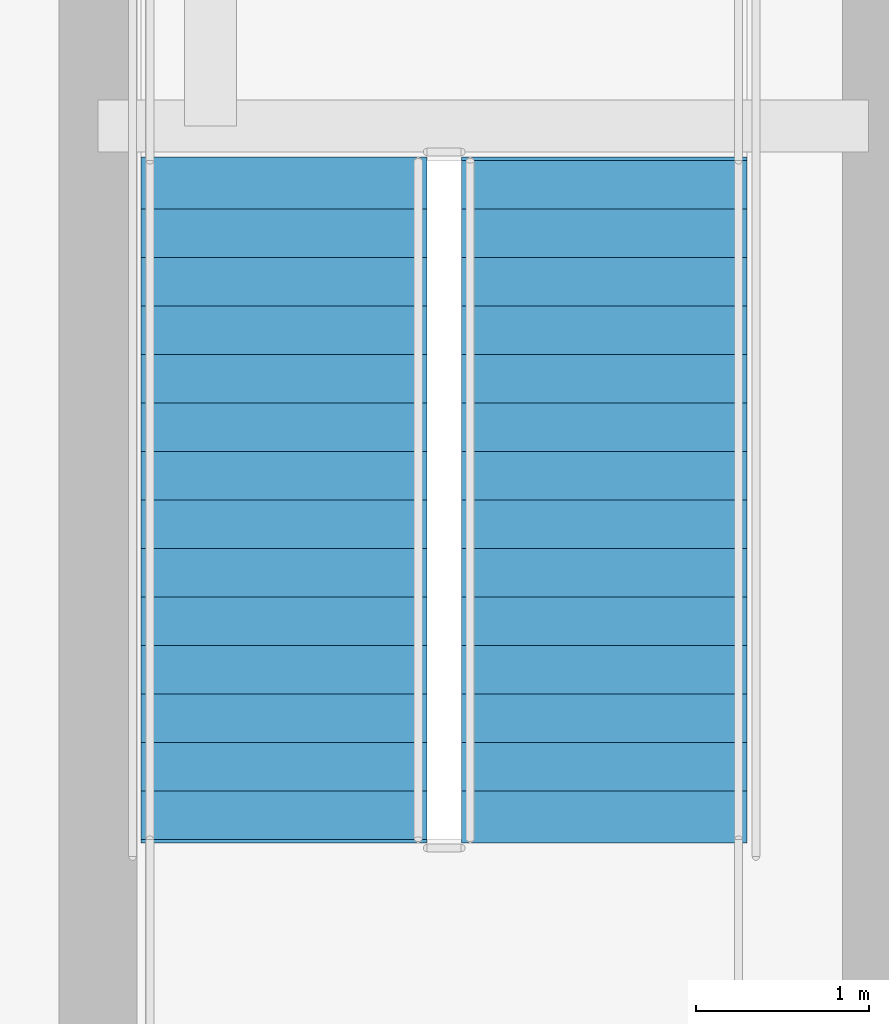
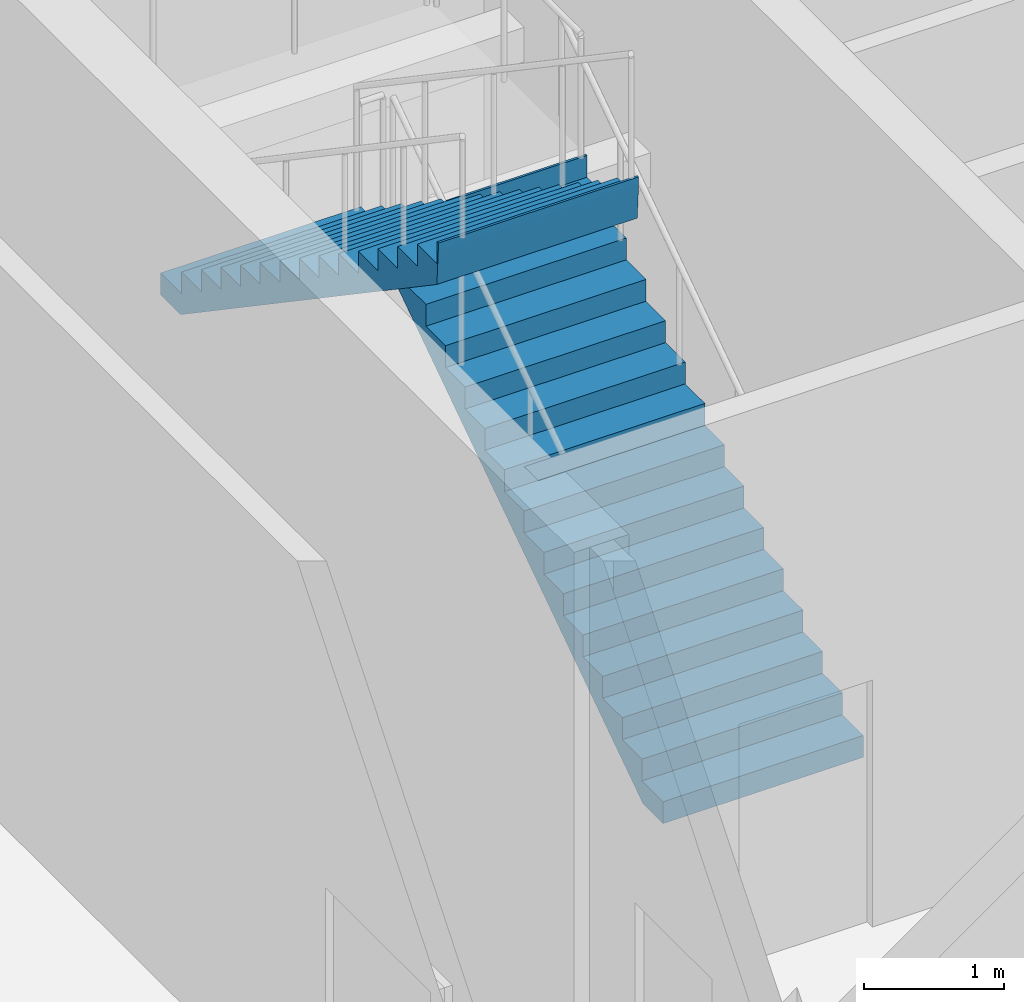
# One storey, part 5 of 12: 2 stair flights, 1 element without a shape of its own.
"""IFC4 building model written with IfcOpenShell, lengths in metres."""

from ifc_helpers import new_model, si_unit, direction, frame, origin, place, context, subcontext, project, spatial, polygons, material, type_object, element, aggregate, save


model = new_model("IFC4")

# Units and contexts
model_context = context("Model", 3, precision=1e-05, world=origin(), true_north=direction((0.0, 1.0)))
body_context = subcontext(model_context, "Body", "Model", "MODEL_VIEW")
ifc_project = project(units=[si_unit("LENGTHUNIT", "METRE"), si_unit("AREAUNIT", "SQUARE_METRE"), si_unit("VOLUMEUNIT", "CUBIC_METRE"), si_unit("PLANEANGLEUNIT", "RADIAN"), si_unit("MASSUNIT", "GRAM", prefix="KILO")], contexts=[model_context])

# Site, building, storey
site_placement = place(None, origin())
site = spatial("IfcSite", under=ifc_project, at=site_placement, CompositionType="ELEMENT")
building_placement = place(site_placement, origin())
building = spatial("IfcBuilding", under=site, at=building_placement, Name="Serunith Strait Residences", CompositionType="ELEMENT")
storey_placement = place(building_placement, frame((0.0, 0.0, 15.300048828125)))
storey = spatial("IfcBuildingStorey", under=building, at=storey_placement, Name="L03", CompositionType="ELEMENT", Elevation=15.300048828125)

# Stair, stair flights
ifc_material = material(Name="Concrete C50/60", Category="concrete")
stair_type = type_object("IfcStairType", Name="STR-CORE-1", PredefinedType="HALF_TURN_STAIR", material=ifc_material)
stair_placement = place(storey_placement, origin())
stair = element("IfcStair", 1, at=stair_placement, inside=storey, type_object=stair_type, Name="L03 Protected Escape Stair ST-1", PredefinedType="HALF_TURN_STAIR")
stair_flight_type = type_object("IfcStairFlightType", Name="FLT-CORE-1", PredefinedType="STRAIGHT", material=ifc_material)
stair_flight_1_placement = place(storey_placement, frame((26.324951171875, 27.030029296875, 0.0), z_axis=(0.0, 0.0, 1.0), x_axis=(0.0, 1.0, 0.0)))
stair_flight_1 = element("IfcStairFlight", 2, at=stair_flight_1_placement, type_object=stair_flight_type, Name="ST-1 flight 1", NumberOfRisers=15, NumberOfTreads=14, PredefinedType="STRAIGHT", RiserHeight=0.19, TreadLength=0.28, context=body_context, shape_type="Tessellation", body=[
    polygons([(-0.02001953125, -0.824951171875, 0.0), (-0.02001953125, -0.824951171875, 0.18994140625), (0.280029296875, -0.824951171875, 0.18994140625), (0.280029296875, -0.824951171875, 0.3798828125), (0.56005859375, -0.824951171875, 0.3798828125), (0.56005859375, -0.824951171875, 0.570068359375), (0.840087890625, -0.824951171875, 0.570068359375), (0.840087890625, -0.824951171875, 0.760009765625), (1.1201171875, -0.824951171875, 0.760009765625), (1.1201171875, -0.824951171875, 0.949951171875), (1.39990234375, -0.824951171875, 0.949951171875), (1.39990234375, -0.824951171875, 1.139892578125), (1.679931640625, -0.824951171875, 1.139892578125), (1.679931640625, -0.824951171875, 1.330078125), (1.9599609375, -0.824951171875, 1.330078125), (1.9599609375, -0.824951171875, 1.52001953125), (2.239990234375, -0.824951171875, 1.52001953125), (2.239990234375, -0.824951171875, 1.7099609375), (2.52001953125, -0.824951171875, 1.7099609375), (2.52001953125, -0.824951171875, 1.89990234375), (2.800048828125, -0.824951171875, 1.89990234375), (2.800048828125, -0.824951171875, 2.090087890625), (3.080078125, -0.824951171875, 2.090087890625), (3.080078125, -0.824951171875, 2.280029296875), (3.360107421875, -0.824951171875, 2.280029296875), (3.360107421875, -0.824951171875, 2.469970703125), (3.639892578125, -0.824951171875, 2.469970703125), (3.639892578125, -0.824951171875, 2.659912109375), (3.919921875, -0.824951171875, 2.659912109375), (3.919921875, -0.824951171875, 2.85009765625), (3.93994140625, -0.824951171875, 2.85009765625), (3.93994140625, -0.824951171875, 2.7900390625), (3.919921875, -0.824951171875, 2.478759765625), (0.266845703125, -0.824951171875, 0.0), (-0.02001953125, -0.41259765625, 0.0), (-0.02001953125, -0.41259765625, 0.18994140625), (0.280029296875, -0.41259765625, 0.18994140625), (0.280029296875, -0.41259765625, 0.3798828125), (0.56005859375, -0.41259765625, 0.3798828125), (0.56005859375, -0.41259765625, 0.570068359375), (0.840087890625, -0.41259765625, 0.570068359375), (0.840087890625, -0.41259765625, 0.760009765625), (1.1201171875, -0.41259765625, 0.760009765625), (1.1201171875, -0.41259765625, 0.949951171875), (1.39990234375, -0.41259765625, 0.949951171875), (1.39990234375, -0.41259765625, 1.139892578125), (1.679931640625, -0.41259765625, 1.139892578125), (1.679931640625, -0.41259765625, 1.330078125), (1.9599609375, -0.41259765625, 1.330078125), (1.9599609375, -0.41259765625, 1.52001953125), (2.239990234375, -0.41259765625, 1.52001953125), (2.239990234375, -0.41259765625, 1.7099609375), (2.52001953125, -0.41259765625, 1.7099609375), (2.52001953125, -0.41259765625, 1.89990234375), (2.800048828125, -0.41259765625, 1.89990234375), (2.800048828125, -0.41259765625, 2.090087890625), (3.080078125, -0.41259765625, 2.090087890625), (3.080078125, -0.41259765625, 2.280029296875), (3.360107421875, -0.41259765625, 2.280029296875), (3.360107421875, -0.41259765625, 2.469970703125), (3.639892578125, -0.41259765625, 2.469970703125), (3.639892578125, -0.41259765625, 2.659912109375), (3.919921875, -0.41259765625, 2.659912109375), (3.919921875, -0.41259765625, 2.85009765625), (3.93994140625, -0.41259765625, 2.85009765625), (3.93994140625, -0.41259765625, 2.7900390625), (3.919921875, -0.41259765625, 2.478759765625), (0.266845703125, -0.41259765625, 0.0), (-0.02001953125, 0.0, 0.0), (-0.02001953125, 0.0, 0.18994140625), (0.280029296875, 0.0, 0.18994140625), (0.280029296875, 0.0, 0.3798828125), (0.56005859375, 0.0, 0.3798828125), (0.56005859375, 0.0, 0.570068359375), (0.840087890625, 0.0, 0.570068359375), (0.840087890625, 0.0, 0.760009765625), (1.1201171875, 0.0, 0.760009765625), (1.1201171875, 0.0, 0.949951171875), (1.39990234375, 0.0, 0.949951171875), (1.39990234375, 0.0, 1.139892578125), (1.679931640625, 0.0, 1.139892578125), (1.679931640625, 0.0, 1.330078125), (1.9599609375, 0.0, 1.330078125), (1.9599609375, 0.0, 1.52001953125), (2.239990234375, 0.0, 1.52001953125), (2.239990234375, 0.0, 1.7099609375), (2.52001953125, 0.0, 1.7099609375), (2.52001953125, 0.0, 1.89990234375), (2.800048828125, 0.0, 1.89990234375), (2.800048828125, 0.0, 2.090087890625), (3.080078125, 0.0, 2.090087890625), (3.080078125, 0.0, 2.280029296875), (3.360107421875, 0.0, 2.280029296875), (3.360107421875, 0.0, 2.469970703125), (3.639892578125, 0.0, 2.469970703125), (3.639892578125, 0.0, 2.659912109375), (3.919921875, 0.0, 2.659912109375), (3.919921875, 0.0, 2.85009765625), (3.93994140625, 0.0, 2.85009765625), (3.93994140625, 0.0, 2.7900390625), (3.919921875, 0.0, 2.478759765625), (0.266845703125, 0.0, 0.0), (-0.02001953125, 0.41259765625, 0.0), (-0.02001953125, 0.41259765625, 0.18994140625), (0.280029296875, 0.41259765625, 0.18994140625), (0.280029296875, 0.41259765625, 0.3798828125), (0.56005859375, 0.41259765625, 0.3798828125), (0.56005859375, 0.41259765625, 0.570068359375), (0.840087890625, 0.41259765625, 0.570068359375), (0.840087890625, 0.41259765625, 0.760009765625), (1.1201171875, 0.41259765625, 0.760009765625), (1.1201171875, 0.41259765625, 0.949951171875), (1.39990234375, 0.41259765625, 0.949951171875), (1.39990234375, 0.41259765625, 1.139892578125), (1.679931640625, 0.41259765625, 1.139892578125), (1.679931640625, 0.41259765625, 1.330078125), (1.9599609375, 0.41259765625, 1.330078125), (1.9599609375, 0.41259765625, 1.52001953125), (2.239990234375, 0.41259765625, 1.52001953125), (2.239990234375, 0.41259765625, 1.7099609375), (2.52001953125, 0.41259765625, 1.7099609375), (2.52001953125, 0.41259765625, 1.89990234375), (2.800048828125, 0.41259765625, 1.89990234375), (2.800048828125, 0.41259765625, 2.090087890625), (3.080078125, 0.41259765625, 2.090087890625), (3.080078125, 0.41259765625, 2.280029296875), (3.360107421875, 0.41259765625, 2.280029296875), (3.360107421875, 0.41259765625, 2.469970703125), (3.639892578125, 0.41259765625, 2.469970703125), (3.639892578125, 0.41259765625, 2.659912109375), (3.919921875, 0.41259765625, 2.659912109375), (3.919921875, 0.41259765625, 2.85009765625), (3.93994140625, 0.41259765625, 2.85009765625), (3.93994140625, 0.41259765625, 2.7900390625), (3.919921875, 0.41259765625, 2.478759765625), (0.266845703125, 0.41259765625, 0.0), (-0.02001953125, 0.824951171875, 0.0), (-0.02001953125, 0.824951171875, 0.18994140625), (0.280029296875, 0.824951171875, 0.18994140625), (0.280029296875, 0.824951171875, 0.3798828125), (0.56005859375, 0.824951171875, 0.3798828125), (0.56005859375, 0.824951171875, 0.570068359375), (0.840087890625, 0.824951171875, 0.570068359375), (0.840087890625, 0.824951171875, 0.760009765625), (1.1201171875, 0.824951171875, 0.760009765625), (1.1201171875, 0.824951171875, 0.949951171875), (1.39990234375, 0.824951171875, 0.949951171875), (1.39990234375, 0.824951171875, 1.139892578125), (1.679931640625, 0.824951171875, 1.139892578125), (1.679931640625, 0.824951171875, 1.330078125), (1.9599609375, 0.824951171875, 1.330078125), (1.9599609375, 0.824951171875, 1.52001953125), (2.239990234375, 0.824951171875, 1.52001953125), (2.239990234375, 0.824951171875, 1.7099609375), (2.52001953125, 0.824951171875, 1.7099609375), (2.52001953125, 0.824951171875, 1.89990234375), (2.800048828125, 0.824951171875, 1.89990234375), (2.800048828125, 0.824951171875, 2.090087890625), (3.080078125, 0.824951171875, 2.090087890625), (3.080078125, 0.824951171875, 2.280029296875), (3.360107421875, 0.824951171875, 2.280029296875), (3.360107421875, 0.824951171875, 2.469970703125), (3.639892578125, 0.824951171875, 2.469970703125), (3.639892578125, 0.824951171875, 2.659912109375), (3.919921875, 0.824951171875, 2.659912109375), (3.919921875, 0.824951171875, 2.85009765625), (3.93994140625, 0.824951171875, 2.85009765625), (3.93994140625, 0.824951171875, 2.7900390625), (3.919921875, 0.824951171875, 2.478759765625), (0.266845703125, 0.824951171875, 0.0)], [[[1, 2, 36, 35]], [[2, 3, 37, 36]], [[3, 4, 38, 37]], [[4, 5, 39, 38]], [[5, 6, 40, 39]], [[6, 7, 41, 40]], [[7, 8, 42, 41]], [[8, 9, 43, 42]], [[9, 10, 44, 43]], [[10, 11, 45, 44]], [[11, 12, 46, 45]], [[12, 13, 47, 46]], [[13, 14, 48, 47]], [[14, 15, 49, 48]], [[15, 16, 50, 49]], [[16, 17, 51, 50]], [[17, 18, 52, 51]], [[18, 19, 53, 52]], [[19, 20, 54, 53]], [[20, 21, 55, 54]], [[21, 22, 56, 55]], [[22, 23, 57, 56]], [[23, 24, 58, 57]], [[24, 25, 59, 58]], [[25, 26, 60, 59]], [[26, 27, 61, 60]], [[27, 28, 62, 61]], [[28, 29, 63, 62]], [[29, 30, 64, 63]], [[30, 31, 65, 64]], [[31, 32, 66, 65]], [[32, 33, 67, 66]], [[33, 34, 68, 67]], [[34, 1, 35, 68]], [[35, 36, 70, 69]], [[36, 37, 71, 70]], [[37, 38, 72, 71]], [[38, 39, 73, 72]], [[39, 40, 74, 73]], [[40, 41, 75, 74]], [[41, 42, 76, 75]], [[42, 43, 77, 76]], [[43, 44, 78, 77]], [[44, 45, 79, 78]], [[45, 46, 80, 79]], [[46, 47, 81, 80]], [[47, 48, 82, 81]], [[48, 49, 83, 82]], [[49, 50, 84, 83]], [[50, 51, 85, 84]], [[51, 52, 86, 85]], [[52, 53, 87, 86]], [[53, 54, 88, 87]], [[54, 55, 89, 88]], [[55, 56, 90, 89]], [[56, 57, 91, 90]], [[57, 58, 92, 91]], [[58, 59, 93, 92]], [[59, 60, 94, 93]], [[60, 61, 95, 94]], [[61, 62, 96, 95]], [[62, 63, 97, 96]], [[63, 64, 98, 97]], [[64, 65, 99, 98]], [[65, 66, 100, 99]], [[66, 67, 101, 100]], [[67, 68, 102, 101]], [[68, 35, 69, 102]], [[69, 70, 104, 103]], [[70, 71, 105, 104]], [[71, 72, 106, 105]], [[72, 73, 107, 106]], [[73, 74, 108, 107]], [[74, 75, 109, 108]], [[75, 76, 110, 109]], [[76, 77, 111, 110]], [[77, 78, 112, 111]], [[78, 79, 113, 112]], [[79, 80, 114, 113]], [[80, 81, 115, 114]], [[81, 82, 116, 115]], [[82, 83, 117, 116]], [[83, 84, 118, 117]], [[84, 85, 119, 118]], [[85, 86, 120, 119]], [[86, 87, 121, 120]], [[87, 88, 122, 121]], [[88, 89, 123, 122]], [[89, 90, 124, 123]], [[90, 91, 125, 124]], [[91, 92, 126, 125]], [[92, 93, 127, 126]], [[93, 94, 128, 127]], [[94, 95, 129, 128]], [[95, 96, 130, 129]], [[96, 97, 131, 130]], [[97, 98, 132, 131]], [[98, 99, 133, 132]], [[99, 100, 134, 133]], [[100, 101, 135, 134]], [[101, 102, 136, 135]], [[102, 69, 103, 136]], [[103, 104, 138, 137]], [[104, 105, 139, 138]], [[105, 106, 140, 139]], [[106, 107, 141, 140]], [[107, 108, 142, 141]], [[108, 109, 143, 142]], [[109, 110, 144, 143]], [[110, 111, 145, 144]], [[111, 112, 146, 145]], [[112, 113, 147, 146]], [[113, 114, 148, 147]], [[114, 115, 149, 148]], [[115, 116, 150, 149]], [[116, 117, 151, 150]], [[117, 118, 152, 151]], [[118, 119, 153, 152]], [[119, 120, 154, 153]], [[120, 121, 155, 154]], [[121, 122, 156, 155]], [[122, 123, 157, 156]], [[123, 124, 158, 157]], [[124, 125, 159, 158]], [[125, 126, 160, 159]], [[126, 127, 161, 160]], [[127, 128, 162, 161]], [[128, 129, 163, 162]], [[129, 130, 164, 163]], [[130, 131, 165, 164]], [[131, 132, 166, 165]], [[132, 133, 167, 166]], [[133, 134, 168, 167]], [[134, 135, 169, 168]], [[135, 136, 170, 169]], [[136, 103, 137, 170]], [[34, 33, 32, 31, 30, 29, 28, 27, 26, 25, 24, 23, 22, 21, 20, 19, 18, 17, 16, 15, 14, 13, 12, 11, 10, 9, 8, 7, 6, 5, 4, 3, 2, 1]], [[137, 138, 139, 140, 141, 142, 143, 144, 145, 146, 147, 148, 149, 150, 151, 152, 153, 154, 155, 156, 157, 158, 159, 160, 161, 162, 163, 164, 165, 166, 167, 168, 169, 170]]], closed=True),
])
stair_flight_2_placement = place(storey_placement, frame((24.47509765625, 30.949951171875, 2.849853515625), z_axis=(0.0, 0.0, 1.0), x_axis=(0.0, -1.0, 0.0)))
stair_flight_2 = element("IfcStairFlight", 3, at=stair_flight_2_placement, type_object=stair_flight_type, Name="ST-1 flight 2", NumberOfRisers=15, NumberOfTreads=14, PredefinedType="STRAIGHT", RiserHeight=0.19, TreadLength=0.28, context=body_context, shape_type="Tessellation", body=[
    polygons([(-0.02001953125, -0.824951171875, 0.0), (-0.02001953125, -0.824951171875, 0.18994140625), (0.280029296875, -0.824951171875, 0.18994140625), (0.280029296875, -0.824951171875, 0.3798828125), (0.56005859375, -0.824951171875, 0.3798828125), (0.56005859375, -0.824951171875, 0.570068359375), (0.840087890625, -0.824951171875, 0.570068359375), (0.840087890625, -0.824951171875, 0.760009765625), (1.1201171875, -0.824951171875, 0.760009765625), (1.1201171875, -0.824951171875, 0.949951171875), (1.39990234375, -0.824951171875, 0.949951171875), (1.39990234375, -0.824951171875, 1.139892578125), (1.679931640625, -0.824951171875, 1.139892578125), (1.679931640625, -0.824951171875, 1.330078125), (1.9599609375, -0.824951171875, 1.330078125), (1.9599609375, -0.824951171875, 1.52001953125), (2.239990234375, -0.824951171875, 1.52001953125), (2.239990234375, -0.824951171875, 1.7099609375), (2.52001953125, -0.824951171875, 1.7099609375), (2.52001953125, -0.824951171875, 1.89990234375), (2.800048828125, -0.824951171875, 1.89990234375), (2.800048828125, -0.824951171875, 2.090087890625), (3.080078125, -0.824951171875, 2.090087890625), (3.080078125, -0.824951171875, 2.280029296875), (3.360107421875, -0.824951171875, 2.280029296875), (3.360107421875, -0.824951171875, 2.469970703125), (3.639892578125, -0.824951171875, 2.469970703125), (3.639892578125, -0.824951171875, 2.659912109375), (3.919921875, -0.824951171875, 2.659912109375), (3.919921875, -0.824951171875, 2.85009765625), (3.93994140625, -0.824951171875, 2.85009765625), (3.93994140625, -0.824951171875, 2.7900390625), (3.919921875, -0.824951171875, 2.478759765625), (0.266845703125, -0.824951171875, 0.0), (-0.02001953125, -0.41259765625, 0.0), (-0.02001953125, -0.41259765625, 0.18994140625), (0.280029296875, -0.41259765625, 0.18994140625), (0.280029296875, -0.41259765625, 0.3798828125), (0.56005859375, -0.41259765625, 0.3798828125), (0.56005859375, -0.41259765625, 0.570068359375), (0.840087890625, -0.41259765625, 0.570068359375), (0.840087890625, -0.41259765625, 0.760009765625), (1.1201171875, -0.41259765625, 0.760009765625), (1.1201171875, -0.41259765625, 0.949951171875), (1.39990234375, -0.41259765625, 0.949951171875), (1.39990234375, -0.41259765625, 1.139892578125), (1.679931640625, -0.41259765625, 1.139892578125), (1.679931640625, -0.41259765625, 1.330078125), (1.9599609375, -0.41259765625, 1.330078125), (1.9599609375, -0.41259765625, 1.52001953125), (2.239990234375, -0.41259765625, 1.52001953125), (2.239990234375, -0.41259765625, 1.7099609375), (2.52001953125, -0.41259765625, 1.7099609375), (2.52001953125, -0.41259765625, 1.89990234375), (2.800048828125, -0.41259765625, 1.89990234375), (2.800048828125, -0.41259765625, 2.090087890625), (3.080078125, -0.41259765625, 2.090087890625), (3.080078125, -0.41259765625, 2.280029296875), (3.360107421875, -0.41259765625, 2.280029296875), (3.360107421875, -0.41259765625, 2.469970703125), (3.639892578125, -0.41259765625, 2.469970703125), (3.639892578125, -0.41259765625, 2.659912109375), (3.919921875, -0.41259765625, 2.659912109375), (3.919921875, -0.41259765625, 2.85009765625), (3.93994140625, -0.41259765625, 2.85009765625), (3.93994140625, -0.41259765625, 2.7900390625), (3.919921875, -0.41259765625, 2.478759765625), (0.266845703125, -0.41259765625, 0.0), (-0.02001953125, 0.0, 0.0), (-0.02001953125, 0.0, 0.18994140625), (0.280029296875, 0.0, 0.18994140625), (0.280029296875, 0.0, 0.3798828125), (0.56005859375, 0.0, 0.3798828125), (0.56005859375, 0.0, 0.570068359375), (0.840087890625, 0.0, 0.570068359375), (0.840087890625, 0.0, 0.760009765625), (1.1201171875, 0.0, 0.760009765625), (1.1201171875, 0.0, 0.949951171875), (1.39990234375, 0.0, 0.949951171875), (1.39990234375, 0.0, 1.139892578125), (1.679931640625, 0.0, 1.139892578125), (1.679931640625, 0.0, 1.330078125), (1.9599609375, 0.0, 1.330078125), (1.9599609375, 0.0, 1.52001953125), (2.239990234375, 0.0, 1.52001953125), (2.239990234375, 0.0, 1.7099609375), (2.52001953125, 0.0, 1.7099609375), (2.52001953125, 0.0, 1.89990234375), (2.800048828125, 0.0, 1.89990234375), (2.800048828125, 0.0, 2.090087890625), (3.080078125, 0.0, 2.090087890625), (3.080078125, 0.0, 2.280029296875), (3.360107421875, 0.0, 2.280029296875), (3.360107421875, 0.0, 2.469970703125), (3.639892578125, 0.0, 2.469970703125), (3.639892578125, 0.0, 2.659912109375), (3.919921875, 0.0, 2.659912109375), (3.919921875, 0.0, 2.85009765625), (3.93994140625, 0.0, 2.85009765625), (3.93994140625, 0.0, 2.7900390625), (3.919921875, 0.0, 2.478759765625), (0.266845703125, 0.0, 0.0), (-0.02001953125, 0.41259765625, 0.0), (-0.02001953125, 0.41259765625, 0.18994140625), (0.280029296875, 0.41259765625, 0.18994140625), (0.280029296875, 0.41259765625, 0.3798828125), (0.56005859375, 0.41259765625, 0.3798828125), (0.56005859375, 0.41259765625, 0.570068359375), (0.840087890625, 0.41259765625, 0.570068359375), (0.840087890625, 0.41259765625, 0.760009765625), (1.1201171875, 0.41259765625, 0.760009765625), (1.1201171875, 0.41259765625, 0.949951171875), (1.39990234375, 0.41259765625, 0.949951171875), (1.39990234375, 0.41259765625, 1.139892578125), (1.679931640625, 0.41259765625, 1.139892578125), (1.679931640625, 0.41259765625, 1.330078125), (1.9599609375, 0.41259765625, 1.330078125), (1.9599609375, 0.41259765625, 1.52001953125), (2.239990234375, 0.41259765625, 1.52001953125), (2.239990234375, 0.41259765625, 1.7099609375), (2.52001953125, 0.41259765625, 1.7099609375), (2.52001953125, 0.41259765625, 1.89990234375), (2.800048828125, 0.41259765625, 1.89990234375), (2.800048828125, 0.41259765625, 2.090087890625), (3.080078125, 0.41259765625, 2.090087890625), (3.080078125, 0.41259765625, 2.280029296875), (3.360107421875, 0.41259765625, 2.280029296875), (3.360107421875, 0.41259765625, 2.469970703125), (3.639892578125, 0.41259765625, 2.469970703125), (3.639892578125, 0.41259765625, 2.659912109375), (3.919921875, 0.41259765625, 2.659912109375), (3.919921875, 0.41259765625, 2.85009765625), (3.93994140625, 0.41259765625, 2.85009765625), (3.93994140625, 0.41259765625, 2.7900390625), (3.919921875, 0.41259765625, 2.478759765625), (0.266845703125, 0.41259765625, 0.0), (-0.02001953125, 0.824951171875, 0.0), (-0.02001953125, 0.824951171875, 0.18994140625), (0.280029296875, 0.824951171875, 0.18994140625), (0.280029296875, 0.824951171875, 0.3798828125), (0.56005859375, 0.824951171875, 0.3798828125), (0.56005859375, 0.824951171875, 0.570068359375), (0.840087890625, 0.824951171875, 0.570068359375), (0.840087890625, 0.824951171875, 0.760009765625), (1.1201171875, 0.824951171875, 0.760009765625), (1.1201171875, 0.824951171875, 0.949951171875), (1.39990234375, 0.824951171875, 0.949951171875), (1.39990234375, 0.824951171875, 1.139892578125), (1.679931640625, 0.824951171875, 1.139892578125), (1.679931640625, 0.824951171875, 1.330078125), (1.9599609375, 0.824951171875, 1.330078125), (1.9599609375, 0.824951171875, 1.52001953125), (2.239990234375, 0.824951171875, 1.52001953125), (2.239990234375, 0.824951171875, 1.7099609375), (2.52001953125, 0.824951171875, 1.7099609375), (2.52001953125, 0.824951171875, 1.89990234375), (2.800048828125, 0.824951171875, 1.89990234375), (2.800048828125, 0.824951171875, 2.090087890625), (3.080078125, 0.824951171875, 2.090087890625), (3.080078125, 0.824951171875, 2.280029296875), (3.360107421875, 0.824951171875, 2.280029296875), (3.360107421875, 0.824951171875, 2.469970703125), (3.639892578125, 0.824951171875, 2.469970703125), (3.639892578125, 0.824951171875, 2.659912109375), (3.919921875, 0.824951171875, 2.659912109375), (3.919921875, 0.824951171875, 2.85009765625), (3.93994140625, 0.824951171875, 2.85009765625), (3.93994140625, 0.824951171875, 2.7900390625), (3.919921875, 0.824951171875, 2.478759765625), (0.266845703125, 0.824951171875, 0.0)], [[[1, 2, 36, 35]], [[2, 3, 37, 36]], [[3, 4, 38, 37]], [[4, 5, 39, 38]], [[5, 6, 40, 39]], [[6, 7, 41, 40]], [[7, 8, 42, 41]], [[8, 9, 43, 42]], [[9, 10, 44, 43]], [[10, 11, 45, 44]], [[11, 12, 46, 45]], [[12, 13, 47, 46]], [[13, 14, 48, 47]], [[14, 15, 49, 48]], [[15, 16, 50, 49]], [[16, 17, 51, 50]], [[17, 18, 52, 51]], [[18, 19, 53, 52]], [[19, 20, 54, 53]], [[20, 21, 55, 54]], [[21, 22, 56, 55]], [[22, 23, 57, 56]], [[23, 24, 58, 57]], [[24, 25, 59, 58]], [[25, 26, 60, 59]], [[26, 27, 61, 60]], [[27, 28, 62, 61]], [[28, 29, 63, 62]], [[29, 30, 64, 63]], [[30, 31, 65, 64]], [[31, 32, 66, 65]], [[32, 33, 67, 66]], [[33, 34, 68, 67]], [[34, 1, 35, 68]], [[35, 36, 70, 69]], [[36, 37, 71, 70]], [[37, 38, 72, 71]], [[38, 39, 73, 72]], [[39, 40, 74, 73]], [[40, 41, 75, 74]], [[41, 42, 76, 75]], [[42, 43, 77, 76]], [[43, 44, 78, 77]], [[44, 45, 79, 78]], [[45, 46, 80, 79]], [[46, 47, 81, 80]], [[47, 48, 82, 81]], [[48, 49, 83, 82]], [[49, 50, 84, 83]], [[50, 51, 85, 84]], [[51, 52, 86, 85]], [[52, 53, 87, 86]], [[53, 54, 88, 87]], [[54, 55, 89, 88]], [[55, 56, 90, 89]], [[56, 57, 91, 90]], [[57, 58, 92, 91]], [[58, 59, 93, 92]], [[59, 60, 94, 93]], [[60, 61, 95, 94]], [[61, 62, 96, 95]], [[62, 63, 97, 96]], [[63, 64, 98, 97]], [[64, 65, 99, 98]], [[65, 66, 100, 99]], [[66, 67, 101, 100]], [[67, 68, 102, 101]], [[68, 35, 69, 102]], [[69, 70, 104, 103]], [[70, 71, 105, 104]], [[71, 72, 106, 105]], [[72, 73, 107, 106]], [[73, 74, 108, 107]], [[74, 75, 109, 108]], [[75, 76, 110, 109]], [[76, 77, 111, 110]], [[77, 78, 112, 111]], [[78, 79, 113, 112]], [[79, 80, 114, 113]], [[80, 81, 115, 114]], [[81, 82, 116, 115]], [[82, 83, 117, 116]], [[83, 84, 118, 117]], [[84, 85, 119, 118]], [[85, 86, 120, 119]], [[86, 87, 121, 120]], [[87, 88, 122, 121]], [[88, 89, 123, 122]], [[89, 90, 124, 123]], [[90, 91, 125, 124]], [[91, 92, 126, 125]], [[92, 93, 127, 126]], [[93, 94, 128, 127]], [[94, 95, 129, 128]], [[95, 96, 130, 129]], [[96, 97, 131, 130]], [[97, 98, 132, 131]], [[98, 99, 133, 132]], [[99, 100, 134, 133]], [[100, 101, 135, 134]], [[101, 102, 136, 135]], [[102, 69, 103, 136]], [[103, 104, 138, 137]], [[104, 105, 139, 138]], [[105, 106, 140, 139]], [[106, 107, 141, 140]], [[107, 108, 142, 141]], [[108, 109, 143, 142]], [[109, 110, 144, 143]], [[110, 111, 145, 144]], [[111, 112, 146, 145]], [[112, 113, 147, 146]], [[113, 114, 148, 147]], [[114, 115, 149, 148]], [[115, 116, 150, 149]], [[116, 117, 151, 150]], [[117, 118, 152, 151]], [[118, 119, 153, 152]], [[119, 120, 154, 153]], [[120, 121, 155, 154]], [[121, 122, 156, 155]], [[122, 123, 157, 156]], [[123, 124, 158, 157]], [[124, 125, 159, 158]], [[125, 126, 160, 159]], [[126, 127, 161, 160]], [[127, 128, 162, 161]], [[128, 129, 163, 162]], [[129, 130, 164, 163]], [[130, 131, 165, 164]], [[131, 132, 166, 165]], [[132, 133, 167, 166]], [[133, 134, 168, 167]], [[134, 135, 169, 168]], [[135, 136, 170, 169]], [[136, 103, 137, 170]], [[34, 33, 32, 31, 30, 29, 28, 27, 26, 25, 24, 23, 22, 21, 20, 19, 18, 17, 16, 15, 14, 13, 12, 11, 10, 9, 8, 7, 6, 5, 4, 3, 2, 1]], [[137, 138, 139, 140, 141, 142, 143, 144, 145, 146, 147, 148, 149, 150, 151, 152, 153, 154, 155, 156, 157, 158, 159, 160, 161, 162, 163, 164, 165, 166, 167, 168, 169, 170]]], closed=True),
])
aggregate(stair, [stair_flight_1, stair_flight_2])

save(model, "model.ifc")
